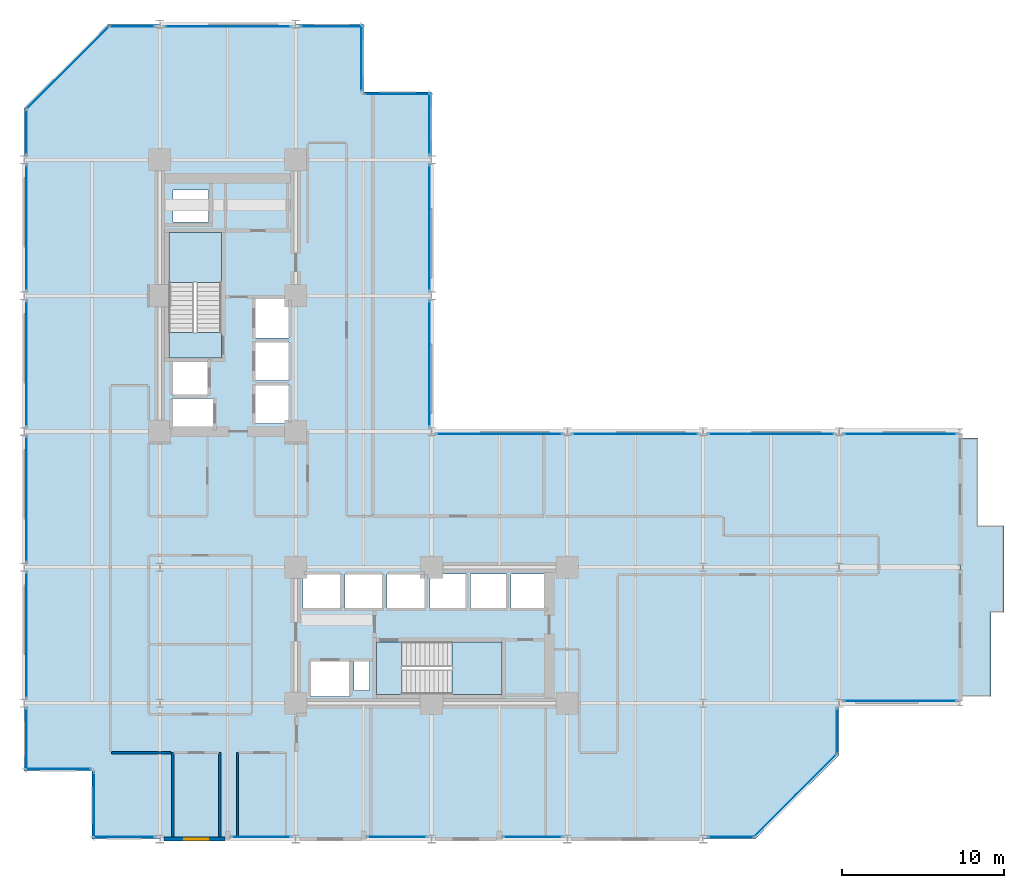
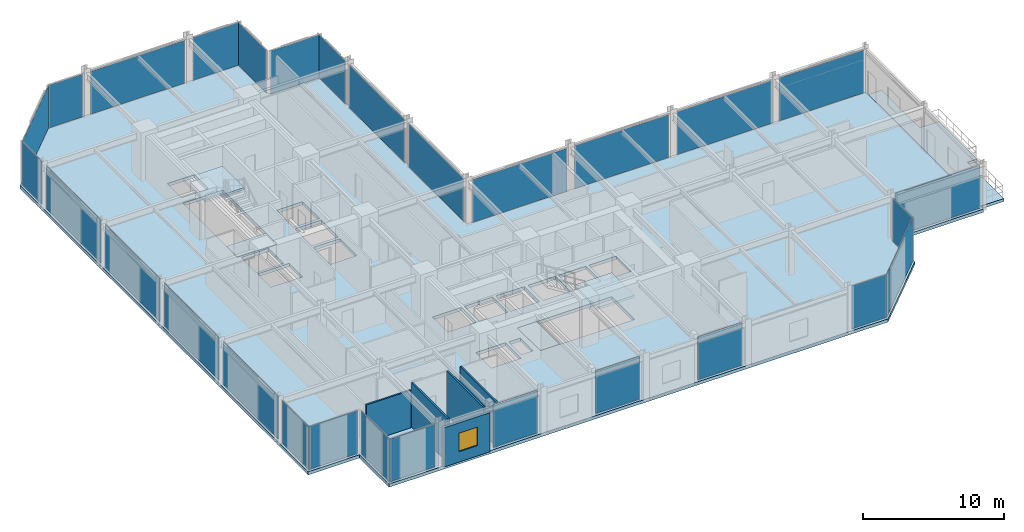
# One storey, part 20 of 26: 29 plates, 6 slabs, 5 walls, 1 window, 1 opening, 31 elements without a shape of their own.
"""IFC4 building model written with IfcOpenShell, lengths in metres."""

from ifc_helpers import new_model, si_unit, direction, frame, frame_2d, origin, origin_2d, place, context, subcontext, project, spatial, polyline, rectangle, outline, extrude, material, layer, layer_set, type_object, element, fill, aggregate, save


model = new_model("IFC4")

# Units and contexts
model_context = context("Model", 3, precision=1e-05, world=origin(), true_north=direction((0.0, 1.0)))
body_context = subcontext(model_context, "Body", "Model", "MODEL_VIEW")
ifc_project = project(units=[si_unit("LENGTHUNIT", "METRE"), si_unit("AREAUNIT", "SQUARE_METRE"), si_unit("VOLUMEUNIT", "CUBIC_METRE"), si_unit("PLANEANGLEUNIT", "RADIAN"), si_unit("MASSUNIT", "GRAM", prefix="KILO")], contexts=[model_context])

# Site, building, storey
site_placement = place(None, origin())
site = spatial("IfcSite", under=ifc_project, at=site_placement, CompositionType="ELEMENT")
building_placement = place(site_placement, origin())
building = spatial("IfcBuilding", under=site, at=building_placement, Name="Nerrivon Quay Data Exchange", CompositionType="ELEMENT")
storey_placement = place(building_placement, frame((0.0, 0.0, 75.199951171875)))
storey = spatial("IfcBuildingStorey", under=building, at=storey_placement, Name="L17", CompositionType="ELEMENT", Elevation=75.199951171875)

# Curtain wall, plate
ifc_material_1 = material(Name="Anodised aluminium 6063-T6", Category="aluminium")
ifc_layer_1 = layer(ifc_material_1, 0.199951171875)
ifc_layer_set_1 = layer_set([ifc_layer_1], Name="Anodised aluminium 6063-T6")
curtain_wall_type_1 = type_object("IfcCurtainWallType", Name="CW-SYS-04", PredefinedType="NOTDEFINED", material=ifc_layer_set_1)
curtain_wall_1_placement = place(storey_placement, origin())
curtain_wall_1 = element("IfcCurtainWall", 1, at=curtain_wall_1_placement, inside=storey, type_object=curtain_wall_type_1, Name="L17 Unitised Curtain Wall 3", PredefinedType="NOTDEFINED")
ifc_material_2 = material(Name="Double-glazed low-E solar control glass", Category="glass")
ifc_layer_2 = layer(ifc_material_2, 0.028076171875)
ifc_layer_set_2 = layer_set([ifc_layer_2], Name="Double-glazed low-E solar control glass")
plate_type = type_object("IfcPlateType", Name="CWP-GLZ-28", PredefinedType="CURTAIN_PANEL", material=ifc_layer_set_2)
plate_1_placement = place(storey_placement, frame((54.197265625, 8.5400390625, 0.06494140625), z_axis=(0.0, 0.0, 1.0), x_axis=(-1.0, 0.0, 0.0)))
plate_1 = element("IfcPlate", 2, at=plate_1_placement, type_object=plate_type, Name="CW04 panel 1.1", PredefinedType="CURTAIN_PANEL", context=body_context, shape_type="SweptSolid", body=[
    extrude(rectangle(XDim=6.944580078125, YDim=0.028076171875, at=origin_2d()), origin(), (0.0, 0.0, 1.0), 3.719970703125),
])
aggregate(curtain_wall_1, [plate_1])

ifc_layer_3 = layer(ifc_material_1, 0.219970703125)
ifc_layer_set_3 = layer_set([ifc_layer_3], Name="Anodised aluminium 6063-T6")
curtain_wall_type_2 = type_object("IfcCurtainWallType", Name="CW-SYS-01", PredefinedType="NOTDEFINED", material=ifc_layer_set_3)
curtain_wall_2_placement = place(storey_placement, origin())
curtain_wall_2 = element("IfcCurtainWall", 3, at=curtain_wall_2_placement, inside=storey, type_object=curtain_wall_type_2, Name="L17 Unitised Curtain Wall 4", PredefinedType="NOTDEFINED")
plate_2_placement = place(storey_placement, frame((50.260009765625, 6.675048828125, 0.06494140625), z_axis=(0.0, 0.0, 1.0), x_axis=(0.0, -1.0, 0.0)))
plate_2 = element("IfcPlate", 4, at=plate_2_placement, type_object=plate_type, Name="CW01 panel 1.1", PredefinedType="CURTAIN_PANEL", context=body_context, shape_type="SweptSolid", body=[
    extrude(rectangle(XDim=2.800048828125, YDim=0.028076171875, at=origin_2d()), origin(), (0.0, 0.0, 1.0), 3.719970703125),
])
aggregate(curtain_wall_2, [plate_2])

curtain_wall_3_placement = place(storey_placement, origin())
curtain_wall_3 = element("IfcCurtainWall", 5, at=curtain_wall_3_placement, inside=storey, type_object=curtain_wall_type_2, Name="L17 Unitised Curtain Wall 5", PredefinedType="NOTDEFINED")
plate_3_placement = place(storey_placement, frame((47.700927734375, 2.698974609375, 0.06494140625), z_axis=(0.0, 0.0, 1.0), x_axis=(-0.707106781187, -0.707106781187, 0.0)))
plate_3 = element("IfcPlate", 6, at=plate_3_placement, type_object=plate_type, Name="CW01 panel 1.1", PredefinedType="CURTAIN_PANEL", context=body_context, shape_type="SweptSolid", body=[
    extrude(rectangle(XDim=7.203857421875, YDim=0.028076171875, at=origin_2d()), origin(), (0.0, 0.0, 1.0), 3.719970703125),
])
aggregate(curtain_wall_3, [plate_3])

curtain_wall_4_placement = place(storey_placement, origin())
curtain_wall_4 = element("IfcCurtainWall", 7, at=curtain_wall_4_placement, inside=storey, type_object=curtain_wall_type_2, Name="L17 Unitised Curtain Wall 6", PredefinedType="NOTDEFINED")
plate_4_placement = place(storey_placement, frame((43.72509765625, 0.139892578125, 0.06494140625), z_axis=(0.0, 0.0, 1.0), x_axis=(-1.0, 0.0, 0.0)))
plate_4 = element("IfcPlate", 8, at=plate_4_placement, type_object=plate_type, Name="CW01 panel 1.1", PredefinedType="CURTAIN_PANEL", context=body_context, shape_type="SweptSolid", body=[
    extrude(rectangle(XDim=2.800048828125, YDim=0.028076171875, at=origin_2d()), origin(), (0.0, 0.0, 1.0), 3.719970703125),
])
aggregate(curtain_wall_4, [plate_4])

curtain_wall_5_placement = place(storey_placement, origin())
curtain_wall_5 = element("IfcCurtainWall", 9, at=curtain_wall_5_placement, inside=storey, type_object=curtain_wall_type_2, Name="L17 Unitised Curtain Wall 8", PredefinedType="NOTDEFINED")
plate_5_placement = place(storey_placement, frame((31.46240234375, 0.139892578125, 0.06494140625), z_axis=(0.0, 0.0, 1.0), x_axis=(-1.0, 0.0, 0.0)))
plate_5 = element("IfcPlate", 10, at=plate_5_placement, type_object=plate_type, Name="CW01 panel 1.1", PredefinedType="CURTAIN_PANEL", context=body_context, shape_type="SweptSolid", body=[
    extrude(rectangle(XDim=3.625, YDim=0.028076171875, at=origin_2d()), origin(), (0.0, 0.0, 1.0), 3.719970703125),
])
aggregate(curtain_wall_5, [plate_5])

curtain_wall_6_placement = place(storey_placement, origin())
curtain_wall_6 = element("IfcCurtainWall", 11, at=curtain_wall_6_placement, inside=storey, type_object=curtain_wall_type_2, Name="L17 Unitised Curtain Wall 10", PredefinedType="NOTDEFINED")
plate_6_placement = place(storey_placement, frame((23.0625, 0.139892578125, 0.06494140625), z_axis=(0.0, 0.0, 1.0), x_axis=(-1.0, 0.0, 0.0)))
plate_6 = element("IfcPlate", 12, at=plate_6_placement, type_object=plate_type, Name="CW01 panel 1.1", PredefinedType="CURTAIN_PANEL", context=body_context, shape_type="SweptSolid", body=[
    extrude(rectangle(XDim=3.625, YDim=0.028076171875, at=origin_2d()), origin(), (0.0, 0.0, 1.0), 3.719970703125),
])
aggregate(curtain_wall_6, [plate_6])

curtain_wall_7_placement = place(storey_placement, origin())
curtain_wall_7 = element("IfcCurtainWall", 13, at=curtain_wall_7_placement, inside=storey, type_object=curtain_wall_type_2, Name="L17 Unitised Curtain Wall 12", PredefinedType="NOTDEFINED")
plate_7_placement = place(storey_placement, frame((14.66259765625, 0.139892578125, 0.06494140625), z_axis=(0.0, 0.0, 1.0), x_axis=(-1.0, 0.0, 0.0)))
plate_7 = element("IfcPlate", 14, at=plate_7_placement, type_object=plate_type, Name="CW01 panel 1.1", PredefinedType="CURTAIN_PANEL", context=body_context, shape_type="SweptSolid", body=[
    extrude(rectangle(XDim=3.625, YDim=0.028076171875, at=origin_2d()), origin(), (0.0, 0.0, 1.0), 3.719970703125),
])
aggregate(curtain_wall_7, [plate_7])

curtain_wall_8_placement = place(storey_placement, origin())
curtain_wall_8 = element("IfcCurtainWall", 15, at=curtain_wall_8_placement, inside=storey, type_object=curtain_wall_type_2, Name="L17 Unitised Curtain Wall 14", PredefinedType="NOTDEFINED")
plate_8_placement = place(storey_placement, frame((6.175048828125, 0.139892578125, 0.06494140625), z_axis=(0.0, 0.0, 1.0), x_axis=(-1.0, 0.0, 0.0)))
plate_8 = element("IfcPlate", 16, at=plate_8_placement, type_object=plate_type, Name="CW01 panel 1.1", PredefinedType="CURTAIN_PANEL", context=body_context, shape_type="SweptSolid", body=[
    extrude(rectangle(XDim=3.800048828125, YDim=0.028076171875, at=origin_2d()), origin(), (0.0, 0.0, 1.0), 3.719970703125),
])
aggregate(curtain_wall_8, [plate_8])

curtain_wall_9_placement = place(storey_placement, origin())
curtain_wall_9 = element("IfcCurtainWall", 17, at=curtain_wall_9_placement, inside=storey, type_object=curtain_wall_type_2, Name="L17 Unitised Curtain Wall 15", PredefinedType="NOTDEFINED")
plate_9_placement = place(storey_placement, frame((4.340087890625, 2.10009765625, 0.06494140625), z_axis=(0.0, 0.0, 1.0), x_axis=(0.0, 1.0, 0.0)))
plate_9 = element("IfcPlate", 18, at=plate_9_placement, type_object=plate_type, Name="CW01 panel 1.1", PredefinedType="CURTAIN_PANEL", context=body_context, shape_type="SweptSolid", body=[
    extrude(rectangle(XDim=4.050048828125, YDim=0.028076171875, at=origin_2d()), origin(), (0.0, 0.0, 1.0), 3.719970703125),
])
aggregate(curtain_wall_9, [plate_9])

curtain_wall_10_placement = place(storey_placement, origin())
curtain_wall_10 = element("IfcCurtainWall", 19, at=curtain_wall_10_placement, inside=storey, type_object=curtain_wall_type_2, Name="L17 Unitised Curtain Wall 16", PredefinedType="NOTDEFINED")
plate_10_placement = place(storey_placement, frame((2.10009765625, 4.340087890625, 0.06494140625), z_axis=(0.0, 0.0, 1.0), x_axis=(-1.0, 0.0, 0.0)))
plate_10 = element("IfcPlate", 20, at=plate_10_placement, type_object=plate_type, Name="CW01 panel 1.1", PredefinedType="CURTAIN_PANEL", context=body_context, shape_type="SweptSolid", body=[
    extrude(rectangle(XDim=4.050048828125, YDim=0.028076171875, at=origin_2d()), origin(), (0.0, 0.0, 1.0), 3.719970703125),
])
aggregate(curtain_wall_10, [plate_10])

curtain_wall_11_placement = place(storey_placement, origin())
curtain_wall_11 = element("IfcCurtainWall", 21, at=curtain_wall_11_placement, inside=storey, type_object=curtain_wall_type_2, Name="L17 Unitised Curtain Wall 17", PredefinedType="NOTDEFINED")
plate_11_placement = place(storey_placement, frame((0.139892578125, 6.175048828125, 0.06494140625), z_axis=(0.0, 0.0, 1.0), x_axis=(0.0, 1.0, 0.0)))
plate_11 = element("IfcPlate", 22, at=plate_11_placement, type_object=plate_type, Name="CW01 panel 1.1", PredefinedType="CURTAIN_PANEL", context=body_context, shape_type="SweptSolid", body=[
    extrude(rectangle(XDim=3.800048828125, YDim=0.028076171875, at=origin_2d()), origin(), (0.0, 0.0, 1.0), 3.719970703125),
])
aggregate(curtain_wall_11, [plate_11])

curtain_wall_12_placement = place(storey_placement, origin())
curtain_wall_12 = element("IfcCurtainWall", 23, at=curtain_wall_12_placement, inside=storey, type_object=curtain_wall_type_2, Name="L17 Unitised Curtain Wall 18", PredefinedType="NOTDEFINED")
plate_12_placement = place(storey_placement, frame((0.139892578125, 12.60009765625, 0.06494140625), z_axis=(0.0, 0.0, 1.0), x_axis=(0.0, 1.0, 0.0)))
plate_12 = element("IfcPlate", 24, at=plate_12_placement, type_object=plate_type, Name="CW01 panel 1.1", PredefinedType="CURTAIN_PANEL", context=body_context, shape_type="SweptSolid", body=[
    extrude(rectangle(XDim=7.75, YDim=0.028076171875, at=origin_2d()), origin(), (0.0, 0.0, 1.0), 3.719970703125),
])
aggregate(curtain_wall_12, [plate_12])

curtain_wall_13_placement = place(storey_placement, origin())
curtain_wall_13 = element("IfcCurtainWall", 25, at=curtain_wall_13_placement, inside=storey, type_object=curtain_wall_type_2, Name="L17 Unitised Curtain Wall 19", PredefinedType="NOTDEFINED")
plate_13_placement = place(storey_placement, frame((0.139892578125, 21.0, 0.06494140625), z_axis=(0.0, 0.0, 1.0), x_axis=(0.0, 1.0, 0.0)))
plate_13 = element("IfcPlate", 26, at=plate_13_placement, type_object=plate_type, Name="CW01 panel 1.1", PredefinedType="CURTAIN_PANEL", context=body_context, shape_type="SweptSolid", body=[
    extrude(rectangle(XDim=7.75, YDim=0.028076171875, at=origin_2d()), origin(), (0.0, 0.0, 1.0), 3.719970703125),
])
aggregate(curtain_wall_13, [plate_13])

curtain_wall_14_placement = place(storey_placement, origin())
curtain_wall_14 = element("IfcCurtainWall", 27, at=curtain_wall_14_placement, inside=storey, type_object=curtain_wall_type_2, Name="L17 Unitised Curtain Wall 20", PredefinedType="NOTDEFINED")
plate_14_placement = place(storey_placement, frame((0.139892578125, 29.39990234375, 0.06494140625), z_axis=(0.0, 0.0, 1.0), x_axis=(0.0, 1.0, 0.0)))
plate_14 = element("IfcPlate", 28, at=plate_14_placement, type_object=plate_type, Name="CW01 panel 1.1", PredefinedType="CURTAIN_PANEL", context=body_context, shape_type="SweptSolid", body=[
    extrude(rectangle(XDim=7.75, YDim=0.028076171875, at=origin_2d()), origin(), (0.0, 0.0, 1.0), 3.719970703125),
])
aggregate(curtain_wall_14, [plate_14])

curtain_wall_15_placement = place(storey_placement, origin())
curtain_wall_15 = element("IfcCurtainWall", 29, at=curtain_wall_15_placement, inside=storey, type_object=curtain_wall_type_2, Name="L17 Unitised Curtain Wall 21", PredefinedType="NOTDEFINED")
plate_15_placement = place(storey_placement, frame((0.139892578125, 37.800048828125, 0.06494140625), z_axis=(0.0, 0.0, 1.0), x_axis=(0.0, 1.0, 0.0)))
plate_15 = element("IfcPlate", 30, at=plate_15_placement, type_object=plate_type, Name="CW01 panel 1.1", PredefinedType="CURTAIN_PANEL", context=body_context, shape_type="SweptSolid", body=[
    extrude(rectangle(XDim=7.75, YDim=0.028076171875, at=origin_2d()), origin(), (0.0, 0.0, 1.0), 3.719970703125),
])
aggregate(curtain_wall_15, [plate_15])

curtain_wall_16_placement = place(storey_placement, origin())
curtain_wall_16 = element("IfcCurtainWall", 31, at=curtain_wall_16_placement, inside=storey, type_object=curtain_wall_type_2, Name="L17 Unitised Curtain Wall 22", PredefinedType="NOTDEFINED")
plate_16_placement = place(storey_placement, frame((0.139892578125, 43.72509765625, 0.06494140625), z_axis=(0.0, 0.0, 1.0), x_axis=(0.0, 1.0, 0.0)))
plate_16 = element("IfcPlate", 32, at=plate_16_placement, type_object=plate_type, Name="CW01 panel 1.1", PredefinedType="CURTAIN_PANEL", context=body_context, shape_type="SweptSolid", body=[
    extrude(rectangle(XDim=2.800048828125, YDim=0.028076171875, at=origin_2d()), origin(), (0.0, 0.0, 1.0), 3.719970703125),
])
aggregate(curtain_wall_16, [plate_16])

curtain_wall_17_placement = place(storey_placement, origin())
curtain_wall_17 = element("IfcCurtainWall", 33, at=curtain_wall_17_placement, inside=storey, type_object=curtain_wall_type_2, Name="L17 Unitised Curtain Wall 23", PredefinedType="NOTDEFINED")
plate_17_placement = place(storey_placement, frame((2.698974609375, 47.700927734375, 0.06494140625), z_axis=(0.0, 0.0, 1.0), x_axis=(0.707106781187, 0.707106781187, 0.0)))
plate_17 = element("IfcPlate", 34, at=plate_17_placement, type_object=plate_type, Name="CW01 panel 1.1", PredefinedType="CURTAIN_PANEL", context=body_context, shape_type="SweptSolid", body=[
    extrude(rectangle(XDim=7.203857421875, YDim=0.028076171875, at=origin_2d()), origin(), (0.0, 0.0, 1.0), 3.719970703125),
])
aggregate(curtain_wall_17, [plate_17])

curtain_wall_18_placement = place(storey_placement, origin())
curtain_wall_18 = element("IfcCurtainWall", 35, at=curtain_wall_18_placement, inside=storey, type_object=curtain_wall_type_2, Name="L17 Unitised Curtain Wall 24", PredefinedType="NOTDEFINED")
plate_18_placement = place(storey_placement, frame((6.675048828125, 50.260009765625, 0.06494140625), z_axis=(0.0, 0.0, 1.0), x_axis=(1.0, 0.0, 0.0)))
plate_18 = element("IfcPlate", 36, at=plate_18_placement, type_object=plate_type, Name="CW01 panel 1.1", PredefinedType="CURTAIN_PANEL", context=body_context, shape_type="SweptSolid", body=[
    extrude(rectangle(XDim=2.800048828125, YDim=0.028076171875, at=origin_2d()), origin(), (0.0, 0.0, 1.0), 3.719970703125),
])
aggregate(curtain_wall_18, [plate_18])

curtain_wall_19_placement = place(storey_placement, origin())
curtain_wall_19 = element("IfcCurtainWall", 37, at=curtain_wall_19_placement, inside=storey, type_object=curtain_wall_type_2, Name="L17 Unitised Curtain Wall 25", PredefinedType="NOTDEFINED")
plate_19_placement = place(storey_placement, frame((12.60009765625, 50.260009765625, 0.06494140625), z_axis=(0.0, 0.0, 1.0), x_axis=(1.0, 0.0, 0.0)))
plate_19 = element("IfcPlate", 38, at=plate_19_placement, type_object=plate_type, Name="CW01 panel 1.1", PredefinedType="CURTAIN_PANEL", context=body_context, shape_type="SweptSolid", body=[
    extrude(rectangle(XDim=7.75, YDim=0.028076171875, at=origin_2d()), origin(), (0.0, 0.0, 1.0), 3.719970703125),
])
aggregate(curtain_wall_19, [plate_19])

curtain_wall_20_placement = place(storey_placement, origin())
curtain_wall_20 = element("IfcCurtainWall", 39, at=curtain_wall_20_placement, inside=storey, type_object=curtain_wall_type_2, Name="L17 Unitised Curtain Wall 26", PredefinedType="NOTDEFINED")
plate_20_placement = place(storey_placement, frame((19.02490234375, 50.260009765625, 0.06494140625), z_axis=(0.0, 0.0, 1.0), x_axis=(1.0, 0.0, 0.0)))
plate_20 = element("IfcPlate", 40, at=plate_20_placement, type_object=plate_type, Name="CW01 panel 1.1", PredefinedType="CURTAIN_PANEL", context=body_context, shape_type="SweptSolid", body=[
    extrude(rectangle(XDim=3.800048828125, YDim=0.028076171875, at=origin_2d()), origin(), (0.0, 0.0, 1.0), 3.719970703125),
])
aggregate(curtain_wall_20, [plate_20])

curtain_wall_21_placement = place(storey_placement, origin())
curtain_wall_21 = element("IfcCurtainWall", 41, at=curtain_wall_21_placement, inside=storey, type_object=curtain_wall_type_2, Name="L17 Unitised Curtain Wall 27", PredefinedType="NOTDEFINED")
plate_21_placement = place(storey_placement, frame((20.860107421875, 48.300048828125, 0.06494140625), z_axis=(0.0, 0.0, 1.0), x_axis=(0.0, -1.0, 0.0)))
plate_21 = element("IfcPlate", 42, at=plate_21_placement, type_object=plate_type, Name="CW01 panel 1.1", PredefinedType="CURTAIN_PANEL", context=body_context, shape_type="SweptSolid", body=[
    extrude(rectangle(XDim=4.050048828125, YDim=0.028076171875, at=origin_2d()), origin(), (0.0, 0.0, 1.0), 3.719970703125),
])
aggregate(curtain_wall_21, [plate_21])

curtain_wall_22_placement = place(storey_placement, origin())
curtain_wall_22 = element("IfcCurtainWall", 43, at=curtain_wall_22_placement, inside=storey, type_object=curtain_wall_type_2, Name="L17 Unitised Curtain Wall 28", PredefinedType="NOTDEFINED")
plate_22_placement = place(storey_placement, frame((23.10009765625, 46.06005859375, 0.06494140625), z_axis=(0.0, 0.0, 1.0), x_axis=(1.0, 0.0, 0.0)))
plate_22 = element("IfcPlate", 44, at=plate_22_placement, type_object=plate_type, Name="CW01 panel 1.1", PredefinedType="CURTAIN_PANEL", context=body_context, shape_type="SweptSolid", body=[
    extrude(rectangle(XDim=4.050048828125, YDim=0.028076171875, at=origin_2d()), origin(), (0.0, 0.0, 1.0), 3.719970703125),
])
aggregate(curtain_wall_22, [plate_22])

curtain_wall_23_placement = place(storey_placement, origin())
curtain_wall_23 = element("IfcCurtainWall", 45, at=curtain_wall_23_placement, inside=storey, type_object=curtain_wall_type_2, Name="L17 Unitised Curtain Wall 29", PredefinedType="NOTDEFINED")
plate_23_placement = place(storey_placement, frame((25.06005859375, 44.22509765625, 0.06494140625), z_axis=(0.0, 0.0, 1.0), x_axis=(0.0, -1.0, 0.0)))
plate_23 = element("IfcPlate", 46, at=plate_23_placement, type_object=plate_type, Name="CW01 panel 1.1", PredefinedType="CURTAIN_PANEL", context=body_context, shape_type="SweptSolid", body=[
    extrude(rectangle(XDim=3.800048828125, YDim=0.028076171875, at=origin_2d()), origin(), (0.0, 0.0, 1.0), 3.719970703125),
])
aggregate(curtain_wall_23, [plate_23])

curtain_wall_24_placement = place(storey_placement, origin())
curtain_wall_24 = element("IfcCurtainWall", 47, at=curtain_wall_24_placement, inside=storey, type_object=curtain_wall_type_2, Name="L17 Unitised Curtain Wall 30", PredefinedType="NOTDEFINED")
plate_24_placement = place(storey_placement, frame((25.06005859375, 37.800048828125, 0.06494140625), z_axis=(0.0, 0.0, 1.0), x_axis=(0.0, -1.0, 0.0)))
plate_24 = element("IfcPlate", 48, at=plate_24_placement, type_object=plate_type, Name="CW01 panel 1.1", PredefinedType="CURTAIN_PANEL", context=body_context, shape_type="SweptSolid", body=[
    extrude(rectangle(XDim=7.75, YDim=0.028076171875, at=origin_2d()), origin(), (0.0, 0.0, 1.0), 3.719970703125),
])
aggregate(curtain_wall_24, [plate_24])

curtain_wall_25_placement = place(storey_placement, origin())
curtain_wall_25 = element("IfcCurtainWall", 49, at=curtain_wall_25_placement, inside=storey, type_object=curtain_wall_type_2, Name="L17 Unitised Curtain Wall 31", PredefinedType="NOTDEFINED")
plate_25_placement = place(storey_placement, frame((25.06005859375, 29.39990234375, 0.06494140625), z_axis=(0.0, 0.0, 1.0), x_axis=(0.0, -1.0, 0.0)))
plate_25 = element("IfcPlate", 50, at=plate_25_placement, type_object=plate_type, Name="CW01 panel 1.1", PredefinedType="CURTAIN_PANEL", context=body_context, shape_type="SweptSolid", body=[
    extrude(rectangle(XDim=7.75, YDim=0.028076171875, at=origin_2d()), origin(), (0.0, 0.0, 1.0), 3.719970703125),
])
aggregate(curtain_wall_25, [plate_25])

curtain_wall_26_placement = place(storey_placement, origin())
curtain_wall_26 = element("IfcCurtainWall", 51, at=curtain_wall_26_placement, inside=storey, type_object=curtain_wall_type_2, Name="L17 Unitised Curtain Wall 32", PredefinedType="NOTDEFINED")
plate_26_placement = place(storey_placement, frame((29.39990234375, 25.06005859375, 0.06494140625), z_axis=(0.0, 0.0, 1.0), x_axis=(1.0, 0.0, 0.0)))
plate_26 = element("IfcPlate", 52, at=plate_26_placement, type_object=plate_type, Name="CW01 panel 1.1", PredefinedType="CURTAIN_PANEL", context=body_context, shape_type="SweptSolid", body=[
    extrude(rectangle(XDim=7.75, YDim=0.028076171875, at=origin_2d()), origin(), (0.0, 0.0, 1.0), 3.719970703125),
])
aggregate(curtain_wall_26, [plate_26])

curtain_wall_27_placement = place(storey_placement, origin())
curtain_wall_27 = element("IfcCurtainWall", 53, at=curtain_wall_27_placement, inside=storey, type_object=curtain_wall_type_2, Name="L17 Unitised Curtain Wall 33", PredefinedType="NOTDEFINED")
plate_27_placement = place(storey_placement, frame((37.800048828125, 25.06005859375, 0.06494140625), z_axis=(0.0, 0.0, 1.0), x_axis=(1.0, 0.0, 0.0)))
plate_27 = element("IfcPlate", 54, at=plate_27_placement, type_object=plate_type, Name="CW01 panel 1.1", PredefinedType="CURTAIN_PANEL", context=body_context, shape_type="SweptSolid", body=[
    extrude(rectangle(XDim=7.75, YDim=0.028076171875, at=origin_2d()), origin(), (0.0, 0.0, 1.0), 3.719970703125),
])
aggregate(curtain_wall_27, [plate_27])

curtain_wall_28_placement = place(storey_placement, origin())
curtain_wall_28 = element("IfcCurtainWall", 55, at=curtain_wall_28_placement, inside=storey, type_object=curtain_wall_type_2, Name="L17 Unitised Curtain Wall 34", PredefinedType="NOTDEFINED")
plate_28_placement = place(storey_placement, frame((46.199951171875, 25.06005859375, 0.06494140625), z_axis=(0.0, 0.0, 1.0), x_axis=(1.0, 0.0, 0.0)))
plate_28 = element("IfcPlate", 56, at=plate_28_placement, type_object=plate_type, Name="CW01 panel 1.1", PredefinedType="CURTAIN_PANEL", context=body_context, shape_type="SweptSolid", body=[
    extrude(rectangle(XDim=7.75, YDim=0.028076171875, at=origin_2d()), origin(), (0.0, 0.0, 1.0), 3.719970703125),
])
aggregate(curtain_wall_28, [plate_28])

curtain_wall_29_placement = place(storey_placement, origin())
curtain_wall_29 = element("IfcCurtainWall", 57, at=curtain_wall_29_placement, inside=storey, type_object=curtain_wall_type_1, Name="L17 Unitised Curtain Wall 35", PredefinedType="NOTDEFINED")
plate_29_placement = place(storey_placement, frame((54.197265625, 25.06005859375, 0.06494140625), z_axis=(0.0, 0.0, 1.0), x_axis=(1.0, 0.0, 0.0)))
plate_29 = element("IfcPlate", 58, at=plate_29_placement, type_object=plate_type, Name="CW04 panel 1.1", PredefinedType="CURTAIN_PANEL", context=body_context, shape_type="SweptSolid", body=[
    extrude(rectangle(XDim=6.944580078125, YDim=0.028076171875, at=origin_2d()), origin(), (0.0, 0.0, 1.0), 3.719970703125),
])
aggregate(curtain_wall_29, [plate_29])

# Slab
ifc_material_3 = material(Name="Precast white architectural concrete N50 (50 MPa)", Category="concrete")
ifc_layer_4 = layer(ifc_material_3, 0.25)
ifc_layer_set_4 = layer_set([ifc_layer_4], Name="Precast white architectural concrete N50 (50 MPa)")
slab_type_1 = type_object("IfcSlabType", Name="SLB-BAL-250", PredefinedType="FLOOR", material=ifc_layer_set_4)
slab_1_placement = place(storey_placement, frame((0.0, 0.0, -0.25)))
element("IfcSlab", 59, at=slab_1_placement, inside=storey, type_object=slab_type_1, Name="L17 East Hooked Drifting Verandah", PredefinedType="FLOOR", context=body_context, shape_type="SweptSolid", body=[
    extrude(outline(polyline([(59.800048828125, 14.0), (60.60009765625, 14.0), (60.60009765625, 19.39990234375), (59.0, 19.39990234375), (59.0, 24.800048828125), (57.89990234375, 24.800048828125), (57.89990234375, 19.39990234375), (57.89990234375, 14.0), (57.89990234375, 8.800048828125), (59.800048828125, 8.800048828125), (59.800048828125, 14.0)])), origin(), (0.0, 0.0, 1.0), 0.25),
])

# Stair, slab
ifc_material_4 = material(Name="Concrete N50 (50 MPa)", Category="concrete")
stair_type = type_object("IfcStairType", Name="STAIR-DOG-42", PredefinedType="HALF_TURN_STAIR", material=ifc_material_4)
stair_1_placement = place(storey_placement, origin())
stair_1 = element("IfcStair", 60, at=stair_1_placement, inside=storey, type_object=stair_type, Name="L17 West Core Fire Stair ST01", PredefinedType="HALF_TURN_STAIR")
ifc_layer_5 = layer(ifc_material_4, 0.199951171875)
ifc_layer_set_5 = layer_set([ifc_layer_5], Name="Concrete N50 (50 MPa)")
slab_type_2 = type_object("IfcSlabType", Name="SLB-LAND-200", PredefinedType="LANDING", material=ifc_layer_set_5)
slab_2_placement = place(storey_placement, frame((0.0, 0.0, 1.900146484375)))
slab_2 = element("IfcSlab", 61, at=slab_2_placement, type_object=slab_type_2, Name="ST01 landing 1", PredefinedType="LANDING", context=body_context, shape_type="SweptSolid", body=[
    extrude(outline(polyline([(12.199951171875, 34.409912109375), (12.199951171875, 37.5), (8.949951171875, 37.5), (8.949951171875, 34.409912109375), (12.199951171875, 34.409912109375)])), origin(), (0.0, 0.0, 1.0), 0.199951171875),
])
aggregate(stair_1, [slab_2])

# Slab
slab_3_placement = place(storey_placement, frame((0.0, 0.0, -0.199951171875)))
element("IfcSlab", 62, at=slab_3_placement, inside=storey, type_object=slab_type_2, Name="L17 ST01 floor landing", PredefinedType="LANDING", context=body_context, shape_type="SweptSolid", body=[
    extrude(outline(polyline([(12.199951171875, 29.75), (12.199951171875, 31.330078125), (8.949951171875, 31.330078125), (8.949951171875, 29.75), (12.199951171875, 29.75)])), origin(), (0.0, 0.0, 1.0), 0.199951171875),
])

# Stair, slab
stair_2_placement = place(storey_placement, origin())
stair_2 = element("IfcStair", 63, at=stair_2_placement, inside=storey, type_object=stair_type, Name="L17 East Core Fire Stair ST02", PredefinedType="HALF_TURN_STAIR")
slab_4_placement = place(storey_placement, frame((0.0, 0.0, 1.900146484375)))
slab_4 = element("IfcSlab", 64, at=slab_4_placement, type_object=slab_type_2, Name="ST02 landing 1", PredefinedType="LANDING", context=body_context, shape_type="SweptSolid", body=[
    extrude(outline(polyline([(26.4599609375, 8.949951171875), (29.550048828125, 8.949951171875), (29.550048828125, 12.199951171875), (26.4599609375, 12.199951171875), (26.4599609375, 8.949951171875)])), origin(), (0.0, 0.0, 1.0), 0.199951171875),
])
aggregate(stair_2, [slab_4])

# Slabs
slab_5_placement = place(storey_placement, frame((0.0, 0.0, -0.199951171875)))
element("IfcSlab", 65, at=slab_5_placement, inside=storey, type_object=slab_type_2, Name="L17 ST02 floor landing", PredefinedType="LANDING", context=body_context, shape_type="SweptSolid", body=[
    extrude(outline(polyline([(21.800048828125, 8.949951171875), (23.3798828125, 8.949951171875), (23.3798828125, 12.199951171875), (21.800048828125, 12.199951171875), (21.800048828125, 8.949951171875)])), origin(), (0.0, 0.0, 1.0), 0.199951171875),
])
ifc_layer_6 = layer(ifc_material_4, 0.27490234375)
ifc_layer_set_6 = layer_set([ifc_layer_6], Name="Concrete N50 (50 MPa)")
slab_type_3 = type_object("IfcSlabType", Name="SLB-TOW-275", PredefinedType="FLOOR", material=ifc_layer_set_6)
slab_6_placement = place(storey_placement, frame((0.0, 0.0, -0.27490234375)))
element("IfcSlab", 66, at=slab_6_placement, inside=storey, type_object=slab_type_3, Name="L17 Primary Structural Slab", PredefinedType="FLOOR", context=body_context, shape_type="SweptSolid", body=[
    extrude(outline(polyline([(25.199951171875, 25.199951171875), (25.199951171875, 46.199951171875), (21.0, 46.199951171875), (21.0, 50.39990234375), (5.199951171875, 50.39990234375), (0.0, 45.199951171875), (0.0, 4.199951171875), (4.199951171875, 4.199951171875), (4.199951171875, 0.0), (45.199951171875, 0.0), (50.39990234375, 5.199951171875), (50.39990234375, 8.39990234375), (57.89990234375, 8.39990234375), (57.89990234375, 25.199951171875), (25.199951171875, 25.199951171875)]), holes=[polyline([(8.949951171875, 29.75), (8.949951171875, 37.5), (12.199951171875, 37.5), (12.199951171875, 29.75), (8.949951171875, 29.75)]), polyline([(21.800048828125, 12.199951171875), (29.550048828125, 12.199951171875), (29.550048828125, 8.949951171875), (21.800048828125, 8.949951171875), (21.800048828125, 12.199951171875)]), polyline([(30.10009765625, 16.39990234375), (32.35009765625, 16.39990234375), (32.35009765625, 14.25), (30.10009765625, 14.25), (30.10009765625, 16.39990234375)]), polyline([(27.60009765625, 16.39990234375), (29.85009765625, 16.39990234375), (29.85009765625, 14.25), (27.60009765625, 14.25), (27.60009765625, 16.39990234375)]), polyline([(25.10009765625, 16.39990234375), (27.35009765625, 16.39990234375), (27.35009765625, 14.25), (25.10009765625, 14.25), (25.10009765625, 16.39990234375)]), polyline([(22.449951171875, 16.39990234375), (24.800048828125, 16.39990234375), (24.800048828125, 14.25), (22.449951171875, 14.25), (22.449951171875, 16.39990234375)]), polyline([(19.85009765625, 16.39990234375), (22.199951171875, 16.39990234375), (22.199951171875, 14.25), (19.85009765625, 14.25), (19.85009765625, 16.39990234375)]), polyline([(20.39990234375, 11.0), (21.35009765625, 11.0), (21.35009765625, 9.199951171875), (20.39990234375, 9.199951171875), (20.39990234375, 11.0)]), polyline([(17.699951171875, 8.830078125), (17.699951171875, 11.030029296875), (20.14990234375, 11.030029296875), (20.14990234375, 8.830078125), (17.699951171875, 8.830078125)]), polyline([(17.25, 14.25), (17.25, 16.39990234375), (19.60009765625, 16.39990234375), (19.60009765625, 14.25), (17.25, 14.25)]), polyline([(14.25, 28.10009765625), (16.39990234375, 28.10009765625), (16.39990234375, 25.699951171875), (14.25, 25.699951171875), (14.25, 28.10009765625)]), polyline([(14.25, 30.75), (16.39990234375, 30.75), (16.39990234375, 28.35009765625), (14.25, 28.35009765625), (14.25, 30.75)]), polyline([(14.25, 33.39990234375), (16.39990234375, 33.39990234375), (16.39990234375, 31.0), (14.25, 31.0), (14.25, 33.39990234375)]), polyline([(9.14990234375, 27.25), (11.75, 27.25), (11.75, 25.35009765625), (9.14990234375, 25.35009765625), (9.14990234375, 27.25)]), polyline([(9.14990234375, 29.60009765625), (11.39990234375, 29.60009765625), (11.39990234375, 27.449951171875), (9.14990234375, 27.449951171875), (9.14990234375, 29.60009765625)]), polyline([(9.199951171875, 40.14990234375), (11.39990234375, 40.14990234375), (11.39990234375, 38.14990234375), (9.199951171875, 38.14990234375), (9.199951171875, 40.14990234375)])]), origin(), (0.0, 0.0, 1.0), 0.27490234375),
])

# Wall, opening, window
ifc_material_5 = material(Name="Architectural terracotta precast concrete N50 (50 MPa)", Category="masonry")
ifc_layer_7 = layer(ifc_material_5, 0.239990234375)
ifc_layer_set_7 = layer_set([ifc_layer_7], Name="Architectural terracotta precast concrete N50 (50 MPa)")
wall_type_1 = type_object("IfcWallType", Name="EW-PREC-240", PredefinedType="STANDARD", material=ifc_layer_set_7)
wall_1_placement = place(storey_placement, frame((12.425048828125, 0.0, 0.0), z_axis=(0.0, 0.0, 1.0), x_axis=(-1.0, 0.0, 0.0)))
wall_1 = element("IfcWall", 67, at=wall_1_placement, inside=storey, type_object=wall_type_1, Name="L17 Podium Precast Spandrel Wall 13", PredefinedType="STANDARD", context=body_context, shape_type="SweptSolid", body=[
    extrude(rectangle(XDim=3.775146484375, YDim=0.239990234375, at=frame_2d((1.8876953125, 0.0))), origin(), (0.0, 0.0, 1.0), 3.39599609375),
])
opening_placement = place(wall_1_placement, frame((1.02490234375, 0.0, 0.89990234375)))
opening = element("IfcOpeningElement", 68, at=opening_placement, cuts=wall_1, Name="Opening WN4", PredefinedType="OPENING", context=body_context, shape_type="SweptSolid", body=[
    extrude(rectangle(XDim=1.5, YDim=1.60009765625, at=frame_2d((0.75, 0.800048828125))), frame((0.0, 0.1298828125, 0.0), z_axis=(0.0, -1.0, 0.0), x_axis=(1.0, 0.0, 0.0)), (0.0, 0.0, 1.0), 0.260009765625),
])
window_type = type_object("IfcWindowType", Name="WIN-W4-1500x1600", PartitioningType="SINGLE_PANEL", PredefinedType="WINDOW", material=ifc_material_2)
window_placement = place(opening_placement, origin())
window = element("IfcWindow", 69, at=window_placement, inside=storey, type_object=window_type, Name="L17 Solar Facade Window 13", OverallHeight=1.60009765625, OverallWidth=1.5, PartitioningType="SINGLE_PANEL", PredefinedType="WINDOW", context=body_context, shape_type="SweptSolid", body=[
    extrude(rectangle(XDim=1.5, YDim=1.60009765625, at=frame_2d((0.75, 0.800048828125))), frame((0.0, 0.030029296875, 0.0), z_axis=(0.0, -1.0, 0.0), x_axis=(1.0, 0.0, 0.0)), (0.0, 0.0, 1.0), 0.06005859375),
])
fill(opening, window)

# Walls
ifc_material_6 = material(Name="Gypsum plasterboard on cold-formed framing", Category="gypsum")
ifc_layer_8 = layer(ifc_material_6, 0.135009765625)
ifc_layer_set_8 = layer_set([ifc_layer_8], Name="Gypsum plasterboard on cold-formed framing")
wall_type_2 = type_object("IfcWallType", Name="WALL-PT-135", PredefinedType="PARTITIONING", material=ifc_layer_set_8)
for number, where, z_axis, x_axis, name in (
    (70, (9.199951171875, 5.340087890625, 0.0), (0.0, 0.0, 1.0), (0.0, -1.0, 0.0), "L17 Partition Accessible Toilet"),
    (71, (12.10009765625, 0.1240234375, 0.0), (0.0, 0.0, 1.0), (0.0, 1.0, 0.0), "L17 Partition Accessible Toilet"),
):
    element("IfcWall", number, at=place(storey_placement, frame(where, z_axis=z_axis, x_axis=x_axis)), inside=storey, type_object=wall_type_2, Name=name, PredefinedType="PARTITIONING", context=body_context, shape_type="SweptSolid", body=[
        extrude(rectangle(XDim=5.216064453125, YDim=0.135009765625, at=frame_2d((2.60791015625, 0.0))), origin(), (0.0, 0.0, 1.0), 3.85009765625),
    ])
wall_2_placement = place(storey_placement, frame((13.199951171875, 5.340087890625, 0.0), z_axis=(0.0, 0.0, 1.0), x_axis=(0.0, -1.0, 0.0)))
element("IfcWall", 72, at=wall_2_placement, inside=storey, type_object=wall_type_2, Name="L17 Partition Public Washrooms", PredefinedType="PARTITIONING", context=body_context, shape_type="SweptSolid", body=[
    extrude(rectangle(XDim=5.171142578125, YDim=0.135009765625, at=frame_2d((2.58544921875, 0.0))), origin(), (0.0, 0.0, 1.0), 3.85009765625),
])
wall_3_placement = place(storey_placement, frame((9.080078125, 5.340087890625, 0.0), z_axis=(0.0, 0.0, 1.0), x_axis=(-1.0, 0.0, 0.0)))
element("IfcWall", 73, at=wall_3_placement, inside=storey, type_object=wall_type_2, Name="L17 Partition Optical Engineering Studios Workspace", PredefinedType="PARTITIONING", context=body_context, shape_type="SweptSolid", body=[
    extrude(rectangle(XDim=3.68017578125, YDim=0.135009765625, at=frame_2d((1.840087890625, 0.0))), origin(), (0.0, 0.0, 1.0), 3.248046875),
])

save(model, "model.ifc")
